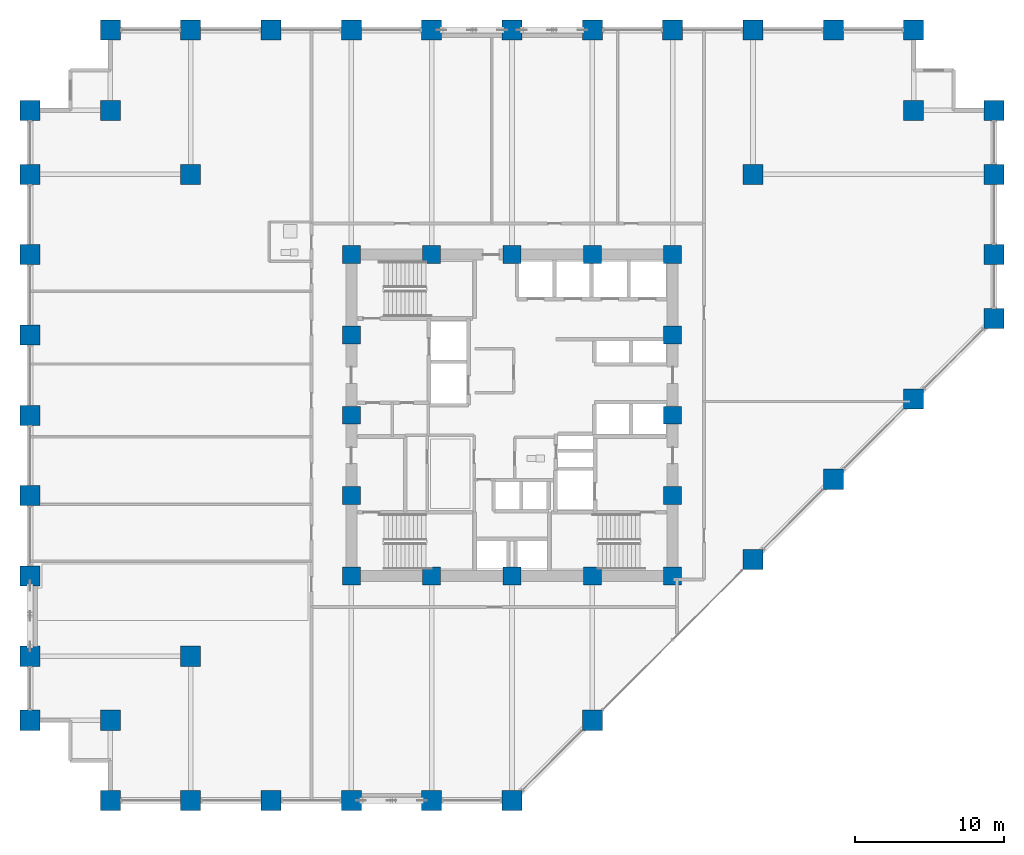
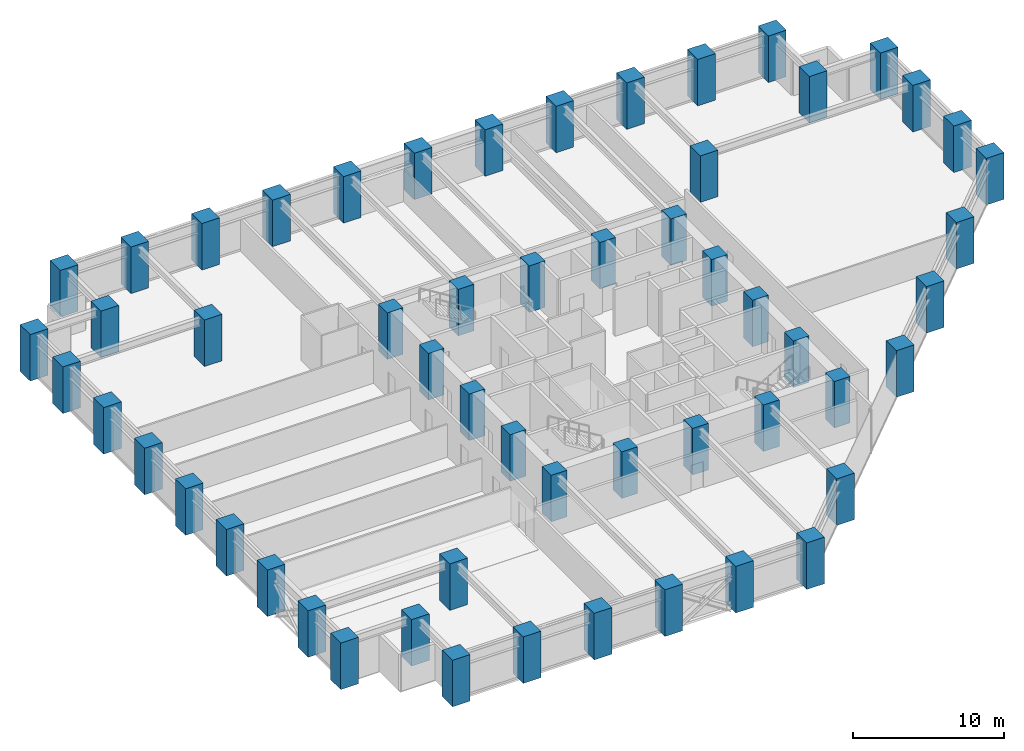
# One storey, part 1 of 25: 56 columns.
"""IFC4 building model written with IfcOpenShell, lengths in metres."""

from ifc_helpers import new_model, si_unit, direction, frame, origin, origin_2d, place, context, subcontext, project, spatial, rectangle, extrude, material, material_profile, profile_set, type_object, element, save


model = new_model("IFC4")

# Units and contexts
model_context = context("Model", 3, precision=1e-05, world=origin(), true_north=direction((0.0, 1.0)))
body_context = subcontext(model_context, "Body", "Model", "MODEL_VIEW")
ifc_project = project(units=[si_unit("LENGTHUNIT", "METRE"), si_unit("AREAUNIT", "SQUARE_METRE"), si_unit("VOLUMEUNIT", "CUBIC_METRE"), si_unit("PLANEANGLEUNIT", "RADIAN"), si_unit("MASSUNIT", "GRAM", prefix="KILO")], contexts=[model_context])

# Site, building, storey
site_placement = place(None, origin())
site = spatial("IfcSite", under=ifc_project, at=site_placement, CompositionType="ELEMENT")
building_placement = place(site_placement, origin())
building = spatial("IfcBuilding", under=site, at=building_placement, Name="Surkhivell Harbour Commons", CompositionType="ELEMENT")
storey_placement = place(building_placement, frame((0.0, 0.0, 37.5)))
storey = spatial("IfcBuildingStorey", under=building, at=storey_placement, Name="L09", CompositionType="ELEMENT", Elevation=37.5)

# Columns
ifc_material = material(Name="Concrete C80/95", Category="concrete")
ifc_material_profile_1 = material_profile(ifc_material, rectangle(XDim=1.35009765625, YDim=1.35009765625, at=origin_2d()), Name="RC-COL-1350x1350")
ifc_profile_set_1 = profile_set([ifc_material_profile_1], Name="Concrete C80/95")
column_type_1 = type_object("IfcColumnType", Name="COL-TUBE-Z1A", PredefinedType="COLUMN", material=ifc_profile_set_1)
for number, where, z_axis, x_axis, name in (
    (1, (-32.39990234375, -20.5, 0.0), (0.0, 0.0, 1.0), (1.0, 0.0, 0.0), "L09 Column CT-1A (-32.4,-20.5)"),
    (2, (-32.39990234375, -16.199951171875, 0.0), (0.0, 0.0, 1.0), (1.0, 0.0, 0.0), "L09 Column CT-1A (-32.4,-16.2)"),
    (3, (-32.39990234375, -10.800048828125, 0.0), (0.0, 0.0, 1.0), (1.0, 0.0, 0.0), "L09 Column CT-1A (-32.4,-10.8)"),
    (4, (-32.39990234375, -5.39990234375, 0.0), (0.0, 0.0, 1.0), (1.0, 0.0, 0.0), "L09 Column CT-1A (-32.4,-5.4)"),
    (5, (-32.39990234375, 0.0, 0.0), (0.0, 0.0, 1.0), (1.0, 0.0, 0.0), "L09 Column CT-1A (-32.4,0.0)"),
    (6, (-32.39990234375, 5.39990234375, 0.0), (0.0, 0.0, 1.0), (1.0, 0.0, 0.0), "L09 Column CT-1A (-32.4,5.4)"),
    (7, (-32.39990234375, 10.800048828125, 0.0), (0.0, 0.0, 1.0), (1.0, 0.0, 0.0), "L09 Column CT-1A (-32.4,10.8)"),
    (8, (-32.39990234375, 16.199951171875, 0.0), (0.0, 0.0, 1.0), (1.0, 0.0, 0.0), "L09 Column CT-1A (-32.4,16.2)"),
    (9, (-32.39990234375, 20.5, 0.0), (0.0, 0.0, 1.0), (1.0, 0.0, 0.0), "L09 Column CT-1A (-32.4,20.5)"),
    (10, (-27.0, -25.89990234375, 0.0), (0.0, 0.0, 1.0), (1.0, 0.0, 0.0), "L09 Column CT-1A (-27.0,-25.9)"),
    (11, (-27.0, -20.5, 0.0), (0.0, 0.0, 1.0), (1.0, 0.0, 0.0), "L09 Column CT-1A (-27.0,-20.5)"),
    (12, (-27.0, 20.5, 0.0), (0.0, 0.0, 1.0), (1.0, 0.0, 0.0), "L09 Column CT-1A (-27.0,20.5)"),
    (13, (-27.0, 25.89990234375, 0.0), (0.0, 0.0, 1.0), (1.0, 0.0, 0.0), "L09 Column CT-1A (-27.0,25.9)"),
    (14, (-21.60009765625, -25.89990234375, 0.0), (0.0, 0.0, 1.0), (1.0, 0.0, 0.0), "L09 Column CT-1A (-21.6,-25.9)"),
    (15, (-21.60009765625, -16.199951171875, 0.0), (0.0, 0.0, 1.0), (1.0, 0.0, 0.0), "L09 Column CT-1A (-21.6,-16.2)"),
    (16, (-21.60009765625, 16.199951171875, 0.0), (0.0, 0.0, 1.0), (1.0, 0.0, 0.0), "L09 Column CT-1A (-21.6,16.2)"),
    (17, (-21.60009765625, 25.89990234375, 0.0), (0.0, 0.0, 1.0), (1.0, 0.0, 0.0), "L09 Column CT-1A (-21.6,25.9)"),
    (18, (-16.199951171875, -25.89990234375, 0.0), (0.0, 0.0, 1.0), (1.0, 0.0, 0.0), "L09 Column CT-1A (-16.2,-25.9)"),
    (19, (-16.199951171875, 25.89990234375, 0.0), (0.0, 0.0, 1.0), (1.0, 0.0, 0.0), "L09 Column CT-1A (-16.2,25.9)"),
    (20, (-10.800048828125, -25.89990234375, 0.0), (0.0, 0.0, 1.0), (1.0, 0.0, 0.0), "L09 Column CT-1A (-10.8,-25.9)"),
    (21, (-10.800048828125, 25.89990234375, 0.0), (0.0, 0.0, 1.0), (1.0, 0.0, 0.0), "L09 Column CT-1A (-10.8,25.9)"),
    (22, (-5.39990234375, -25.89990234375, 0.0), (0.0, 0.0, 1.0), (1.0, 0.0, 0.0), "L09 Column CT-1A (-5.4,-25.9)"),
    (23, (-5.39990234375, 25.89990234375, 0.0), (0.0, 0.0, 1.0), (1.0, 0.0, 0.0), "L09 Column CT-1A (-5.4,25.9)"),
    (24, (0.0, -25.89990234375, 0.0), (0.0, 0.0, 1.0), (1.0, 0.0, 0.0), "L09 Column CT-1A (-0.0,-25.9)"),
    (25, (0.0, 25.89990234375, 0.0), (0.0, 0.0, 1.0), (1.0, 0.0, 0.0), "L09 Column CT-1A (-0.0,25.9)"),
    (26, (5.39990234375, -20.5, 0.0), (0.0, 0.0, 1.0), (1.0, 0.0, 0.0), "L09 Column CT-1A (5.4,-20.5)"),
    (27, (5.39990234375, 25.89990234375, 0.0), (0.0, 0.0, 1.0), (1.0, 0.0, 0.0), "L09 Column CT-1A (5.4,25.9)"),
    (28, (10.800048828125, 25.89990234375, 0.0), (0.0, 0.0, 1.0), (1.0, 0.0, 0.0), "L09 Column CT-1A (10.8,25.9)"),
    (29, (16.199951171875, -9.699951171875, 0.0), (0.0, 0.0, 1.0), (1.0, 0.0, 0.0), "L09 Column CT-1A (16.2,-9.7)"),
    (30, (16.199951171875, 16.199951171875, 0.0), (0.0, 0.0, 1.0), (1.0, 0.0, 0.0), "L09 Column CT-1A (16.2,16.2)"),
    (31, (16.199951171875, 25.89990234375, 0.0), (0.0, 0.0, 1.0), (1.0, 0.0, 0.0), "L09 Column CT-1A (16.2,25.9)"),
    (32, (21.60009765625, -4.300048828125, 0.0), (0.0, 0.0, 1.0), (1.0, 0.0, 0.0), "L09 Column CT-1A (21.6,-4.3)"),
    (33, (21.60009765625, 25.89990234375, 0.0), (0.0, 0.0, 1.0), (1.0, 0.0, 0.0), "L09 Column CT-1A (21.6,25.9)"),
    (34, (27.0, 1.10009765625, 0.0), (0.0, 0.0, 1.0), (1.0, 0.0, 0.0), "L09 Column CT-1A (27.0,1.1)"),
    (35, (27.0, 20.5, 0.0), (0.0, 0.0, 1.0), (1.0, 0.0, 0.0), "L09 Column CT-1A (27.0,20.5)"),
    (36, (27.0, 25.89990234375, 0.0), (0.0, 0.0, 1.0), (1.0, 0.0, 0.0), "L09 Column CT-1A (27.0,25.9)"),
    (37, (32.39990234375, 6.5, 0.0), (0.0, 0.0, 1.0), (1.0, 0.0, 0.0), "L09 Column CT-1A (32.4,6.5)"),
    (38, (32.39990234375, 10.800048828125, 0.0), (0.0, 0.0, 1.0), (1.0, 0.0, 0.0), "L09 Column CT-1A (32.4,10.8)"),
    (39, (32.39990234375, 16.199951171875, 0.0), (0.0, 0.0, 1.0), (1.0, 0.0, 0.0), "L09 Column CT-1A (32.4,16.2)"),
    (40, (32.39990234375, 20.5, 0.0), (0.0, 0.0, 1.0), (1.0, 0.0, 0.0), "L09 Column CT-1A (32.4,20.5)"),
):
    element("IfcColumn", number, at=place(storey_placement, frame(where, z_axis=z_axis, x_axis=x_axis)), inside=storey, type_object=column_type_1, Name=name, PredefinedType="COLUMN", context=body_context, shape_type="SweptSolid", body=[
        extrude(rectangle(XDim=1.35009765625, YDim=1.35009765625, at=origin_2d()), origin(), (0.0, 0.0, 1.0), 3.75),
    ])
ifc_material_profile_2 = material_profile(ifc_material, rectangle(XDim=1.199951171875, YDim=1.199951171875, at=origin_2d()), Name="RC-COL-1200x1200")
ifc_profile_set_2 = profile_set([ifc_material_profile_2], Name="Concrete C80/95")
column_type_2 = type_object("IfcColumnType", Name="COL-TUBE-Z1B", PredefinedType="COLUMN", material=ifc_profile_set_2)
for number, where, z_axis, x_axis, name in (
    (41, (-10.800048828125, -10.800048828125, 0.0), (0.0, 0.0, 1.0), (1.0, 0.0, 0.0), "L09 Column CT-1B (-10.8,-10.8)"),
    (42, (-10.800048828125, -5.39990234375, 0.0), (0.0, 0.0, 1.0), (1.0, 0.0, 0.0), "L09 Column CT-1B (-10.8,-5.4)"),
    (43, (-10.800048828125, 0.0, 0.0), (0.0, 0.0, 1.0), (1.0, 0.0, 0.0), "L09 Column CT-1B (-10.8,0.0)"),
    (44, (-10.800048828125, 5.39990234375, 0.0), (0.0, 0.0, 1.0), (1.0, 0.0, 0.0), "L09 Column CT-1B (-10.8,5.4)"),
    (45, (-10.800048828125, 10.800048828125, 0.0), (0.0, 0.0, 1.0), (1.0, 0.0, 0.0), "L09 Column CT-1B (-10.8,10.8)"),
    (46, (-5.39990234375, -10.800048828125, 0.0), (0.0, 0.0, 1.0), (1.0, 0.0, 0.0), "L09 Column CT-1B (-5.4,-10.8)"),
    (47, (-5.39990234375, 10.800048828125, 0.0), (0.0, 0.0, 1.0), (1.0, 0.0, 0.0), "L09 Column CT-1B (-5.4,10.8)"),
    (48, (0.0, -10.800048828125, 0.0), (0.0, 0.0, 1.0), (1.0, 0.0, 0.0), "L09 Column CT-1B (0.0,-10.8)"),
    (49, (0.0, 10.800048828125, 0.0), (0.0, 0.0, 1.0), (1.0, 0.0, 0.0), "L09 Column CT-1B (0.0,10.8)"),
    (50, (5.39990234375, -10.800048828125, 0.0), (0.0, 0.0, 1.0), (1.0, 0.0, 0.0), "L09 Column CT-1B (5.4,-10.8)"),
    (51, (5.39990234375, 10.800048828125, 0.0), (0.0, 0.0, 1.0), (1.0, 0.0, 0.0), "L09 Column CT-1B (5.4,10.8)"),
    (52, (10.800048828125, -10.800048828125, 0.0), (0.0, 0.0, 1.0), (1.0, 0.0, 0.0), "L09 Column CT-1B (10.8,-10.8)"),
    (53, (10.800048828125, -5.39990234375, 0.0), (0.0, 0.0, 1.0), (1.0, 0.0, 0.0), "L09 Column CT-1B (10.8,-5.4)"),
    (54, (10.800048828125, 0.0, 0.0), (0.0, 0.0, 1.0), (1.0, 0.0, 0.0), "L09 Column CT-1B (10.8,0.0)"),
    (55, (10.800048828125, 5.39990234375, 0.0), (0.0, 0.0, 1.0), (1.0, 0.0, 0.0), "L09 Column CT-1B (10.8,5.4)"),
    (56, (10.800048828125, 10.800048828125, 0.0), (0.0, 0.0, 1.0), (1.0, 0.0, 0.0), "L09 Column CT-1B (10.8,10.8)"),
):
    element("IfcColumn", number, at=place(storey_placement, frame(where, z_axis=z_axis, x_axis=x_axis)), inside=storey, type_object=column_type_2, Name=name, PredefinedType="COLUMN", context=body_context, shape_type="SweptSolid", body=[
        extrude(rectangle(XDim=1.199951171875, YDim=1.199951171875, at=origin_2d()), origin(), (0.0, 0.0, 1.0), 3.75),
    ])

save(model, "model.ifc")
